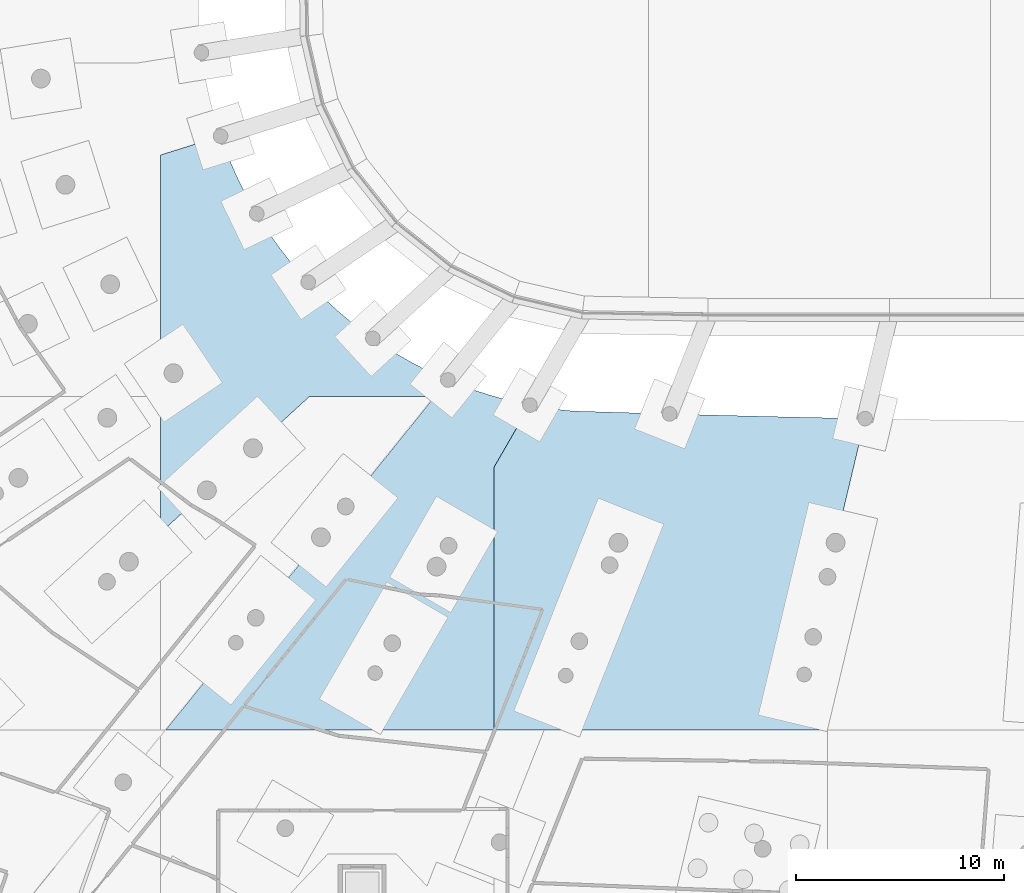
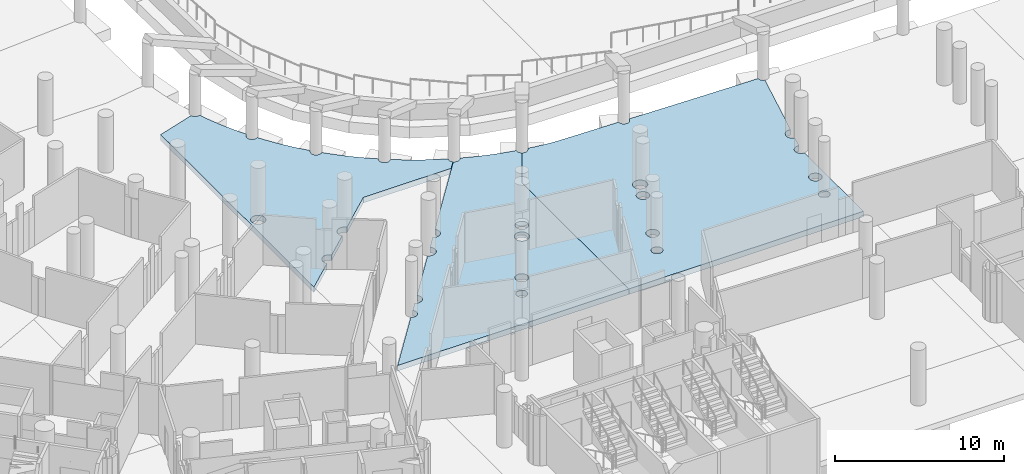
# One storey, part 16 of 142: 3 slabs.
"""IFC4 building model written with IfcOpenShell, lengths in metres."""

from ifc_helpers import new_model, si_unit, direction, frame, origin, place, context, subcontext, project, spatial, polyline, outline, extrude, material, layer, layer_set, type_object, element, save


model = new_model("IFC4")

# Units and contexts
model_context = context("Model", 3, precision=1e-05, world=origin(), true_north=direction((0.0, 1.0)))
body_context = subcontext(model_context, "Body", "Model", "MODEL_VIEW")
ifc_project = project(units=[si_unit("LENGTHUNIT", "METRE"), si_unit("AREAUNIT", "SQUARE_METRE"), si_unit("VOLUMEUNIT", "CUBIC_METRE"), si_unit("PLANEANGLEUNIT", "RADIAN"), si_unit("MASSUNIT", "GRAM", prefix="KILO")], contexts=[model_context])

# Site, building, storey
site_placement = place(None, origin())
site = spatial("IfcSite", under=ifc_project, at=site_placement, CompositionType="ELEMENT")
building_placement = place(site_placement, origin())
building = spatial("IfcBuilding", under=site, at=building_placement, Name="Meseta Stadium", CompositionType="ELEMENT")
storey_placement = place(building_placement, frame((0.0, 0.0, -4.0)))
storey = spatial("IfcBuildingStorey", under=building, at=storey_placement, Name="B1", CompositionType="ELEMENT", Elevation=-4.0)

# Slabs
ifc_material = material(Name="Concrete C30/37", Category="concrete")
ifc_layer = layer(ifc_material, 0.39990234375)
ifc_layer_set = layer_set([ifc_layer], Name="Base slab 400")
slab_type = type_object("IfcSlabType", Name="Base slab 400", PredefinedType="BASESLAB", material=ifc_layer_set)
slab_1_placement = place(storey_placement, frame((0.0, 0.0, -0.39990234375)))
element("IfcSlab", 1, at=slab_1_placement, inside=storey, type_object=slab_type, Name="Base slab B1 sector 35 panel 17", PredefinedType="BASESLAB", context=body_context, shape_type="SweptSolid", body=[
    extrude(outline(polyline([(-44.885986328125, -52.154541015625), (-45.00048828125, -51.83935546875), (-45.051513671875, -51.854736328125), (-45.1201171875, -51.861572265625), (-45.188720703125, -51.854736328125), (-45.254638671875, -51.834716796875), (-45.3154296875, -51.80224609375), (-45.368896484375, -51.758544921875), (-45.41259765625, -51.705322265625), (-45.445068359375, -51.64453125), (-45.4541015625, -51.614501953125), (-48.0, -52.412841796875), (-48.0, -70.53466796875), (-46.109619140625, -68.80419921875), (-46.153076171875, -68.7509765625), (-46.19482421875, -68.6728515625), (-46.220703125, -68.587890625), (-46.229248046875, -68.499755859375), (-46.220703125, -68.41162109375), (-46.19482421875, -68.326904296875), (-46.153076171875, -68.24853515625), (-46.096923828125, -68.18017578125), (-46.0283203125, -68.123779296875), (-45.9501953125, -68.08203125), (-45.865234375, -68.056396484375), (-45.777099609375, -68.047607421875), (-45.68896484375, -68.056396484375), (-45.60400390625, -68.08203125), (-45.52587890625, -68.123779296875), (-45.45751953125, -68.18017578125), (-45.444580078125, -68.195556640625), (-43.90185546875, -66.783203125), (-43.9453125, -66.72998046875), (-43.9873046875, -66.65185546875), (-44.012939453125, -66.56689453125), (-44.021484375, -66.478759765625), (-44.012939453125, -66.390625), (-43.9873046875, -66.305908203125), (-43.9453125, -66.2275390625), (-43.88916015625, -66.1591796875), (-43.820556640625, -66.102783203125), (-43.742431640625, -66.06103515625), (-43.65771484375, -66.035400390625), (-43.5693359375, -66.026611328125), (-43.481201171875, -66.035400390625), (-43.396484375, -66.06103515625), (-43.318115234375, -66.102783203125), (-43.249755859375, -66.1591796875), (-43.237060546875, -66.174560546875), (-40.861572265625, -64.0), (-34.87451171875, -64.0), (-34.447509765625, -63.470703125), (-34.468505859375, -63.45361328125), (-34.512451171875, -63.400146484375), (-34.544921875, -63.33935546875), (-34.56494140625, -63.2734375), (-34.57177734375, -63.204833984375), (-34.56494140625, -63.13623046875), (-34.544921875, -63.0703125), (-34.54052734375, -63.06201171875), (-34.847412109375, -62.925537109375), (-35.464599609375, -62.624755859375), (-36.07080078125, -62.302490234375), (-36.665283203125, -61.95947265625), (-37.247314453125, -61.595703125), (-37.524658203125, -61.40869140625), (-37.5673828125, -61.460693359375), (-37.62060546875, -61.50439453125), (-37.681396484375, -61.537109375), (-37.747314453125, -61.556884765625), (-37.816162109375, -61.563720703125), (-37.884765625, -61.556884765625), (-37.95068359375, -61.537109375), (-38.011474609375, -61.50439453125), (-38.064697265625, -61.460693359375), (-38.1083984375, -61.407470703125), (-38.14111328125, -61.3466796875), (-38.160888671875, -61.28076171875), (-38.167724609375, -61.2119140625), (-38.160888671875, -61.143310546875), (-38.14111328125, -61.077392578125), (-38.1083984375, -61.0166015625), (-38.099609375, -61.005859375), (-38.37109375, -60.80859375), (-38.91162109375, -60.38623046875), (-39.437255859375, -59.9453125), (-39.94677734375, -59.486083984375), (-40.440185546875, -59.009521484375), (-40.672607421875, -58.768798828125), (-40.72119140625, -58.80859375), (-40.781982421875, -58.841064453125), (-40.847900390625, -58.861083984375), (-40.91650390625, -58.86767578125), (-40.985107421875, -58.861083984375), (-41.051025390625, -58.841064453125), (-41.11181640625, -58.80859375), (-41.165283203125, -58.7646484375), (-41.207763671875, -58.712646484375), (-41.241455078125, -58.650634765625), (-41.261474609375, -58.584716796875), (-41.268310546875, -58.51611328125), (-41.261474609375, -58.447509765625), (-41.241455078125, -58.381591796875), (-41.208984375, -58.32080078125), (-41.165283203125, -58.267333984375), (-41.15087890625, -58.255615234375), (-41.375244140625, -58.006103515625), (-41.81591796875, -57.480712890625), (-42.23779296875, -56.93994140625), (-42.640869140625, -56.385009765625), (-43.02392578125, -55.816162109375), (-43.201416015625, -55.53173828125), (-43.25244140625, -55.55908203125), (-43.318603515625, -55.5791015625), (-43.38720703125, -55.5859375), (-43.455810546875, -55.5791015625), (-43.521728515625, -55.55908203125), (-43.58251953125, -55.526611328125), (-43.6357421875, -55.48291015625), (-43.679443359375, -55.4296875), (-43.7119140625, -55.368896484375), (-43.73193359375, -55.302734375), (-43.73876953125, -55.234130859375), (-43.73193359375, -55.16552734375), (-43.7119140625, -55.099609375), (-43.679443359375, -55.038818359375), (-43.6357421875, -54.985595703125), (-43.58251953125, -54.94189453125), (-43.56201171875, -54.930908203125), (-43.7294921875, -54.639892578125), (-44.05126953125, -54.0341796875), (-44.351318359375, -53.41748046875), (-44.6298828125, -52.790771484375), (-44.885986328125, -52.154541015625)]), holes=[polyline([(-47.469482421875, -62.436767578125), (-47.38134765625, -62.427978515625), (-47.293212890625, -62.436767578125), (-47.208251953125, -62.46240234375), (-47.130126953125, -62.50439453125), (-47.0615234375, -62.560546875), (-47.006591796875, -62.627197265625), (-46.963623046875, -62.707275390625), (-46.937744140625, -62.7919921875), (-46.92919921875, -62.880126953125), (-46.937744140625, -62.968505859375), (-46.963623046875, -63.05322265625), (-47.00537109375, -63.13134765625), (-47.0615234375, -63.199951171875), (-47.130126953125, -63.256103515625), (-47.208251953125, -63.298095703125), (-47.293212890625, -63.32373046875), (-47.38134765625, -63.33251953125), (-47.469482421875, -63.32373046875), (-47.554443359375, -63.298095703125), (-47.632568359375, -63.256103515625), (-47.701171875, -63.199951171875), (-47.755859375, -63.133056640625), (-47.799072265625, -63.05322265625), (-47.82470703125, -62.968505859375), (-47.83349609375, -62.880126953125), (-47.82470703125, -62.7919921875), (-47.799072265625, -62.707275390625), (-47.75732421875, -62.62890625), (-47.701171875, -62.560546875), (-47.632568359375, -62.50439453125), (-47.554443359375, -62.46240234375), (-47.469482421875, -62.436767578125)])]), origin(), (0.0, 0.0, 1.0), 0.39990234375),
])
slab_2_placement = place(storey_placement, frame((0.0, 0.0, -0.39990234375)))
element("IfcSlab", 2, at=slab_2_placement, inside=storey, type_object=slab_type, Name="Base slab B1 sector 42 panel 05", PredefinedType="BASESLAB", context=body_context, shape_type="SweptSolid", body=[
    extrude(outline(polyline([(-31.62255859375, -64.098388671875), (-32.283447265625, -63.9091796875), (-32.937255859375, -63.697021484375), (-33.5830078125, -63.4619140625), (-33.89404296875, -63.33642578125), (-33.927490234375, -63.400146484375), (-33.97119140625, -63.45361328125), (-34.024658203125, -63.497314453125), (-34.08544921875, -63.52978515625), (-34.1513671875, -63.5498046875), (-34.219970703125, -63.556396484375), (-34.28857421875, -63.5498046875), (-34.3544921875, -63.52978515625), (-34.415283203125, -63.497314453125), (-34.431884765625, -63.4833984375), (-38.859619140625, -68.9697265625), (-38.83447265625, -68.990478515625), (-38.784423828125, -69.051513671875), (-38.747314453125, -69.120849609375), (-38.724365234375, -69.1962890625), (-38.716796875, -69.274658203125), (-38.724365234375, -69.35302734375), (-38.747314453125, -69.428466796875), (-38.784423828125, -69.498046875), (-38.83447265625, -69.558837890625), (-38.895263671875, -69.60888671875), (-38.96484375, -69.64599609375), (-39.040283203125, -69.6689453125), (-39.11865234375, -69.676513671875), (-39.197021484375, -69.6689453125), (-39.2724609375, -69.64599609375), (-39.341796875, -69.60888671875), (-39.362060546875, -69.59228515625), (-40.017578125, -70.404296875), (-39.988037109375, -70.428466796875), (-39.931884765625, -70.4970703125), (-39.89013671875, -70.5751953125), (-39.8642578125, -70.659912109375), (-39.855712890625, -70.748291015625), (-39.8642578125, -70.83642578125), (-39.89013671875, -70.921142578125), (-39.931884765625, -70.99951171875), (-39.988037109375, -71.06787109375), (-40.056640625, -71.124267578125), (-40.134765625, -71.166015625), (-40.219482421875, -71.191650390625), (-40.307861328125, -71.200439453125), (-40.39599609375, -71.191650390625), (-40.48095703125, -71.166015625), (-40.55908203125, -71.124267578125), (-40.582763671875, -71.104736328125), (-43.17138671875, -74.3125), (-43.146240234375, -74.333251953125), (-43.09619140625, -74.39404296875), (-43.05908203125, -74.463623046875), (-43.036376953125, -74.5390625), (-43.028564453125, -74.617431640625), (-43.036376953125, -74.69580078125), (-43.05908203125, -74.771240234375), (-43.09619140625, -74.8408203125), (-43.146240234375, -74.901611328125), (-43.207275390625, -74.95166015625), (-43.276611328125, -74.98876953125), (-43.35205078125, -75.01171875), (-43.430419921875, -75.019287109375), (-43.5087890625, -75.01171875), (-43.584228515625, -74.98876953125), (-43.65380859375, -74.95166015625), (-43.674072265625, -74.93505859375), (-44.16259765625, -75.540283203125), (-44.141357421875, -75.5576171875), (-44.09765625, -75.611083984375), (-44.065185546875, -75.671875), (-44.045166015625, -75.73779296875), (-44.038330078125, -75.806396484375), (-44.045166015625, -75.875), (-44.065185546875, -75.94091796875), (-44.09765625, -76.001708984375), (-44.141357421875, -76.05517578125), (-44.194580078125, -76.098876953125), (-44.255615234375, -76.13134765625), (-44.3212890625, -76.1513671875), (-44.389892578125, -76.158203125), (-44.458740234375, -76.1513671875), (-44.524658203125, -76.13134765625), (-44.58544921875, -76.098876953125), (-44.60205078125, -76.085205078125), (-47.76171875, -80.0), (-32.0, -80.0), (-32.0, -67.38037109375), (-30.45703125, -64.7109375), (-30.47705078125, -64.7001953125), (-30.530517578125, -64.656494140625), (-30.57421875, -64.60302734375), (-30.606689453125, -64.542236328125), (-30.626708984375, -64.476318359375), (-30.63330078125, -64.40771484375), (-30.626708984375, -64.339111328125), (-30.62548828125, -64.334716796875), (-30.955078125, -64.264892578125), (-31.62255859375, -64.098388671875)]), holes=[polyline([(-34.519287109375, -70.9375), (-34.469482421875, -70.87646484375), (-34.408447265625, -70.826416015625), (-34.339111328125, -70.789306640625), (-34.263671875, -70.7666015625), (-34.185302734375, -70.7587890625), (-34.106689453125, -70.7666015625), (-34.031494140625, -70.789306640625), (-33.9619140625, -70.826416015625), (-33.90087890625, -70.87646484375), (-33.85107421875, -70.9375), (-33.813720703125, -71.0068359375), (-33.791015625, -71.082275390625), (-33.783203125, -71.16064453125), (-33.791015625, -71.239013671875), (-33.813720703125, -71.314453125), (-33.85107421875, -71.384033203125), (-33.90087890625, -71.44482421875), (-33.9619140625, -71.494873046875), (-34.031494140625, -71.531982421875), (-34.106689453125, -71.554931640625), (-34.185302734375, -71.5625), (-34.263671875, -71.554931640625), (-34.339111328125, -71.531982421875), (-34.408447265625, -71.494873046875), (-34.469482421875, -71.44482421875), (-34.519287109375, -71.384033203125), (-34.556396484375, -71.314453125), (-34.579345703125, -71.239013671875), (-34.587158203125, -71.16064453125), (-34.579345703125, -71.082275390625), (-34.556396484375, -71.0068359375), (-34.519287109375, -70.9375)]), polyline([(-35.13671875, -71.905029296875), (-35.080322265625, -71.836669921875), (-35.011962890625, -71.780517578125), (-34.93359375, -71.738525390625), (-34.848876953125, -71.712890625), (-34.7607421875, -71.7041015625), (-34.672607421875, -71.712890625), (-34.587646484375, -71.738525390625), (-34.509521484375, -71.780517578125), (-34.44091796875, -71.836669921875), (-34.384765625, -71.905029296875), (-34.343017578125, -71.9833984375), (-34.317138671875, -72.068115234375), (-34.30859375, -72.15625), (-34.317138671875, -72.24462890625), (-34.343017578125, -72.329345703125), (-34.384765625, -72.40771484375), (-34.44091796875, -72.47607421875), (-34.509521484375, -72.5322265625), (-34.587646484375, -72.57421875), (-34.672607421875, -72.599853515625), (-34.7607421875, -72.6083984375), (-34.848876953125, -72.599853515625), (-34.93359375, -72.57421875), (-35.011962890625, -72.5322265625), (-35.080322265625, -72.47607421875), (-35.13671875, -72.40771484375), (-35.178466796875, -72.329345703125), (-35.2041015625, -72.24462890625), (-35.212890625, -72.15625), (-35.2041015625, -72.068115234375), (-35.178466796875, -71.9833984375), (-35.13671875, -71.905029296875)]), polyline([(-37.22021484375, -75.609619140625), (-37.170166015625, -75.548583984375), (-37.109130859375, -75.498779296875), (-37.039794921875, -75.461669921875), (-36.96435546875, -75.438720703125), (-36.885986328125, -75.430908203125), (-36.807373046875, -75.438720703125), (-36.73193359375, -75.461669921875), (-36.66259765625, -75.498779296875), (-36.601806640625, -75.548583984375), (-36.5517578125, -75.609619140625), (-36.514404296875, -75.67919921875), (-36.49169921875, -75.75439453125), (-36.48388671875, -75.8330078125), (-36.49169921875, -75.911376953125), (-36.514404296875, -75.98681640625), (-36.5517578125, -76.05615234375), (-36.601806640625, -76.1171875), (-36.66259765625, -76.1669921875), (-36.73193359375, -76.204345703125), (-36.807373046875, -76.227294921875), (-36.885986328125, -76.23486328125), (-36.96435546875, -76.227294921875), (-37.039794921875, -76.204345703125), (-37.109130859375, -76.1669921875), (-37.170166015625, -76.1171875), (-37.22021484375, -76.05615234375), (-37.257080078125, -75.98681640625), (-37.280029296875, -75.911376953125), (-37.287841796875, -75.8330078125), (-37.280029296875, -75.75439453125), (-37.257080078125, -75.67919921875), (-37.22021484375, -75.609619140625)]), polyline([(-38.004150390625, -77.06640625), (-37.96044921875, -77.012939453125), (-37.906982421875, -76.96923828125), (-37.84619140625, -76.936767578125), (-37.7802734375, -76.916748046875), (-37.711669921875, -76.909912109375), (-37.64306640625, -76.916748046875), (-37.5771484375, -76.936767578125), (-37.516357421875, -76.96923828125), (-37.462890625, -77.012939453125), (-37.419189453125, -77.06640625), (-37.38671875, -77.127197265625), (-37.36669921875, -77.193115234375), (-37.360107421875, -77.26171875), (-37.36669921875, -77.330322265625), (-37.38671875, -77.396240234375), (-37.419189453125, -77.45703125), (-37.462890625, -77.510498046875), (-37.516357421875, -77.55419921875), (-37.5771484375, -77.586669921875), (-37.64306640625, -77.606689453125), (-37.711669921875, -77.61328125), (-37.7802734375, -77.606689453125), (-37.84619140625, -77.586669921875), (-37.906982421875, -77.55419921875), (-37.96044921875, -77.510498046875), (-38.004150390625, -77.45703125), (-38.03662109375, -77.396240234375), (-38.056640625, -77.330322265625), (-38.0634765625, -77.26171875), (-38.056640625, -77.193115234375), (-38.03662109375, -77.127197265625), (-38.004150390625, -77.06640625)])]), origin(), (0.0, 0.0, 1.0), 0.39990234375),
])
slab_3_placement = place(storey_placement, frame((0.0, 0.0, -0.39990234375)))
element("IfcSlab", 3, at=slab_3_placement, inside=storey, type_object=slab_type, Name="Base slab B1 sector 42 panel 08", PredefinedType="BASESLAB", context=body_context, shape_type="SweptSolid", body=[
    extrude(outline(polyline([(-29.936767578125, -64.476318359375), (-29.956787109375, -64.542236328125), (-29.9892578125, -64.60302734375), (-30.033203125, -64.656494140625), (-30.08642578125, -64.7001953125), (-30.147216796875, -64.732666015625), (-30.213134765625, -64.752685546875), (-30.28173828125, -64.759521484375), (-30.350341796875, -64.752685546875), (-30.416259765625, -64.732666015625), (-30.45703125, -64.7109375), (-32.0, -67.38037109375), (-32.0, -80.0), (-16.0, -80.0), (-16.0, -73.04736328125), (-16.010986328125, -73.04833984375), (-16.089599609375, -73.040771484375), (-16.164794921875, -73.017822265625), (-16.234375, -72.980712890625), (-16.29541015625, -72.9306640625), (-16.34521484375, -72.869873046875), (-16.38232421875, -72.80029296875), (-16.4052734375, -72.724853515625), (-16.4130859375, -72.646484375), (-16.4052734375, -72.568115234375), (-16.38232421875, -72.49267578125), (-16.34521484375, -72.423095703125), (-16.29541015625, -72.3623046875), (-16.234375, -72.312255859375), (-16.164794921875, -72.275146484375), (-16.089599609375, -72.252197265625), (-16.010986328125, -72.244384765625), (-15.9326171875, -72.252197265625), (-15.918212890625, -72.256591796875), (-15.7255859375, -71.447509765625), (-15.794189453125, -71.426513671875), (-15.872314453125, -71.384765625), (-15.94091796875, -71.32861328125), (-15.9970703125, -71.260009765625), (-16.038818359375, -71.181884765625), (-16.064697265625, -71.09716796875), (-16.0732421875, -71.0087890625), (-16.064697265625, -70.920654296875), (-16.038818359375, -70.835693359375), (-15.9970703125, -70.757568359375), (-15.94091796875, -70.689208984375), (-15.872314453125, -70.6328125), (-15.794189453125, -70.591064453125), (-15.70947265625, -70.5654296875), (-15.62109375, -70.556640625), (-15.532958984375, -70.5654296875), (-15.5166015625, -70.5703125), (-14.28564453125, -65.399658203125), (-14.339111328125, -65.383544921875), (-14.39990234375, -65.35107421875), (-14.453125, -65.307373046875), (-14.496826171875, -65.25390625), (-14.529296875, -65.193115234375), (-14.54931640625, -65.127197265625), (-14.55615234375, -65.05859375), (-14.555419921875, -65.051513671875), (-16.0, -65.022216796875), (-17.341796875, -64.992919921875), (-18.90673828125, -64.956298828125), (-20.468994140625, -64.917236328125), (-22.0283203125, -64.876220703125), (-23.23388671875, -64.843017578125), (-23.23974609375, -64.902099609375), (-23.259765625, -64.968017578125), (-23.292236328125, -65.02880859375), (-23.3359375, -65.08203125), (-23.389404296875, -65.125732421875), (-23.4501953125, -65.158203125), (-23.51611328125, -65.17822265625), (-23.584716796875, -65.18505859375), (-23.6533203125, -65.17822265625), (-23.71923828125, -65.158203125), (-23.780029296875, -65.125732421875), (-23.833251953125, -65.08203125), (-23.877197265625, -65.02880859375), (-23.90966796875, -64.968017578125), (-23.9296875, -64.902099609375), (-23.936279296875, -64.83349609375), (-23.935302734375, -64.8232421875), (-26.6884765625, -64.742431640625), (-28.235595703125, -64.69482421875), (-28.92138671875, -64.622802734375), (-29.603515625, -64.527099609375), (-29.93603515625, -64.468505859375), (-29.936767578125, -64.476318359375)]), holes=[polyline([(-16.981689453125, -75.2451171875), (-16.9208984375, -75.1953125), (-16.851318359375, -75.158203125), (-16.77587890625, -75.13525390625), (-16.697509765625, -75.12744140625), (-16.619140625, -75.13525390625), (-16.543701171875, -75.158203125), (-16.47412109375, -75.1953125), (-16.413330078125, -75.2451171875), (-16.36328125, -75.30615234375), (-16.326171875, -75.37548828125), (-16.30322265625, -75.450927734375), (-16.295654296875, -75.529296875), (-16.30322265625, -75.60791015625), (-16.326171875, -75.683349609375), (-16.36328125, -75.752685546875), (-16.413330078125, -75.813720703125), (-16.47412109375, -75.863525390625), (-16.543701171875, -75.90087890625), (-16.619140625, -75.923583984375), (-16.697509765625, -75.931396484375), (-16.77587890625, -75.923583984375), (-16.851318359375, -75.90087890625), (-16.9208984375, -75.863525390625), (-16.981689453125, -75.813720703125), (-17.03173828125, -75.752685546875), (-17.06884765625, -75.683349609375), (-17.091796875, -75.60791015625), (-17.099365234375, -75.529296875), (-17.091796875, -75.450927734375), (-17.06884765625, -75.37548828125), (-17.03173828125, -75.30615234375), (-16.981689453125, -75.2451171875)]), polyline([(-17.37548828125, -77.08349609375), (-17.322021484375, -77.039794921875), (-17.26123046875, -77.007080078125), (-17.1953125, -76.9873046875), (-17.126708984375, -76.98046875), (-17.05810546875, -76.9873046875), (-16.9921875, -77.007080078125), (-16.931396484375, -77.039794921875), (-16.8779296875, -77.08349609375), (-16.834228515625, -77.13671875), (-16.8017578125, -77.197509765625), (-16.78173828125, -77.263427734375), (-16.77490234375, -77.33203125), (-16.78173828125, -77.400634765625), (-16.8017578125, -77.466796875), (-16.834228515625, -77.527587890625), (-16.8779296875, -77.580810546875), (-16.931396484375, -77.62451171875), (-16.9921875, -77.656982421875), (-17.05810546875, -77.677001953125), (-17.126708984375, -77.683837890625), (-17.1953125, -77.677001953125), (-17.26123046875, -77.656982421875), (-17.322021484375, -77.62451171875), (-17.37548828125, -77.580810546875), (-17.419189453125, -77.527587890625), (-17.45166015625, -77.466796875), (-17.4716796875, -77.400634765625), (-17.478515625, -77.33203125), (-17.4716796875, -77.263427734375), (-17.45166015625, -77.197509765625), (-17.419189453125, -77.13671875), (-17.37548828125, -77.08349609375)]), polyline([(-26.455078125, -70.84130859375), (-26.41357421875, -70.76318359375), (-26.357177734375, -70.694580078125), (-26.288818359375, -70.638427734375), (-26.21044921875, -70.5966796875), (-26.125732421875, -70.571044921875), (-26.03759765625, -70.562255859375), (-25.94921875, -70.571044921875), (-25.864501953125, -70.5966796875), (-25.786376953125, -70.638427734375), (-25.7177734375, -70.694580078125), (-25.66162109375, -70.76318359375), (-25.61962890625, -70.84130859375), (-25.593994140625, -70.92626953125), (-25.585205078125, -71.014404296875), (-25.593994140625, -71.102783203125), (-25.61962890625, -71.1875), (-25.66162109375, -71.265625), (-25.7177734375, -71.334228515625), (-25.786376953125, -71.390380859375), (-25.864501953125, -71.43212890625), (-25.94921875, -71.4580078125), (-26.03759765625, -71.466552734375), (-26.125732421875, -71.4580078125), (-26.21044921875, -71.43212890625), (-26.288818359375, -71.390380859375), (-26.357177734375, -71.334228515625), (-26.41357421875, -71.265625), (-26.455078125, -71.1875), (-26.48095703125, -71.102783203125), (-26.48974609375, -71.014404296875), (-26.48095703125, -70.92626953125), (-26.455078125, -70.84130859375)]), polyline([(-26.8330078125, -71.9296875), (-26.7958984375, -71.860107421875), (-26.745849609375, -71.79931640625), (-26.68505859375, -71.749267578125), (-26.615478515625, -71.7119140625), (-26.5400390625, -71.689208984375), (-26.461669921875, -71.681396484375), (-26.38330078125, -71.689208984375), (-26.307861328125, -71.7119140625), (-26.23828125, -71.749267578125), (-26.177490234375, -71.79931640625), (-26.12744140625, -71.860107421875), (-26.09033203125, -71.9296875), (-26.0673828125, -72.0048828125), (-26.059814453125, -72.08349609375), (-26.0673828125, -72.161865234375), (-26.09033203125, -72.2373046875), (-26.12744140625, -72.306640625), (-26.177490234375, -72.36767578125), (-26.23828125, -72.41748046875), (-26.307861328125, -72.45458984375), (-26.38330078125, -72.4775390625), (-26.461669921875, -72.4853515625), (-26.5400390625, -72.4775390625), (-26.615478515625, -72.45458984375), (-26.68505859375, -72.41748046875), (-26.745849609375, -72.36767578125), (-26.7958984375, -72.306640625), (-26.8330078125, -72.2373046875), (-26.85595703125, -72.161865234375), (-26.863525390625, -72.08349609375), (-26.85595703125, -72.0048828125), (-26.8330078125, -71.9296875)]), polyline([(-28.2822265625, -75.581787109375), (-28.2451171875, -75.51220703125), (-28.1953125, -75.451416015625), (-28.13427734375, -75.4013671875), (-28.064697265625, -75.3642578125), (-27.989501953125, -75.34130859375), (-27.910888671875, -75.333740234375), (-27.83251953125, -75.34130859375), (-27.757080078125, -75.3642578125), (-27.687744140625, -75.4013671875), (-27.626708984375, -75.451416015625), (-27.576904296875, -75.51220703125), (-27.53955078125, -75.581787109375), (-27.5166015625, -75.6572265625), (-27.509033203125, -75.735595703125), (-27.5166015625, -75.81396484375), (-27.53955078125, -75.889404296875), (-27.576904296875, -75.958984375), (-27.626708984375, -76.019775390625), (-27.687744140625, -76.06982421875), (-27.757080078125, -76.10693359375), (-27.83251953125, -76.1298828125), (-27.910888671875, -76.1376953125), (-27.989501953125, -76.1298828125), (-28.064697265625, -76.10693359375), (-28.13427734375, -76.06982421875), (-28.1953125, -76.019775390625), (-28.2451171875, -75.958984375), (-28.2822265625, -75.889404296875), (-28.30517578125, -75.81396484375), (-28.31298828125, -75.735595703125), (-28.30517578125, -75.6572265625), (-28.2822265625, -75.581787109375)]), polyline([(-28.8896484375, -77.24853515625), (-28.857177734375, -77.187744140625), (-28.8134765625, -77.134521484375), (-28.76025390625, -77.0908203125), (-28.69921875, -77.058349609375), (-28.63330078125, -77.038330078125), (-28.564697265625, -77.031494140625), (-28.49609375, -77.038330078125), (-28.43017578125, -77.058349609375), (-28.369384765625, -77.0908203125), (-28.316162109375, -77.134521484375), (-28.272216796875, -77.187744140625), (-28.23974609375, -77.24853515625), (-28.2197265625, -77.314697265625), (-28.213134765625, -77.38330078125), (-28.2197265625, -77.451904296875), (-28.23974609375, -77.517822265625), (-28.272216796875, -77.57861328125), (-28.316162109375, -77.6318359375), (-28.369384765625, -77.675537109375), (-28.43017578125, -77.7080078125), (-28.49609375, -77.72802734375), (-28.564697265625, -77.73486328125), (-28.63330078125, -77.72802734375), (-28.69921875, -77.7080078125), (-28.76025390625, -77.675537109375), (-28.8134765625, -77.6318359375), (-28.857177734375, -77.57861328125), (-28.8896484375, -77.517822265625), (-28.90966796875, -77.451904296875), (-28.91650390625, -77.38330078125), (-28.90966796875, -77.314697265625), (-28.8896484375, -77.24853515625)])]), origin(), (0.0, 0.0, 1.0), 0.39990234375),
])

save(model, "model.ifc")
